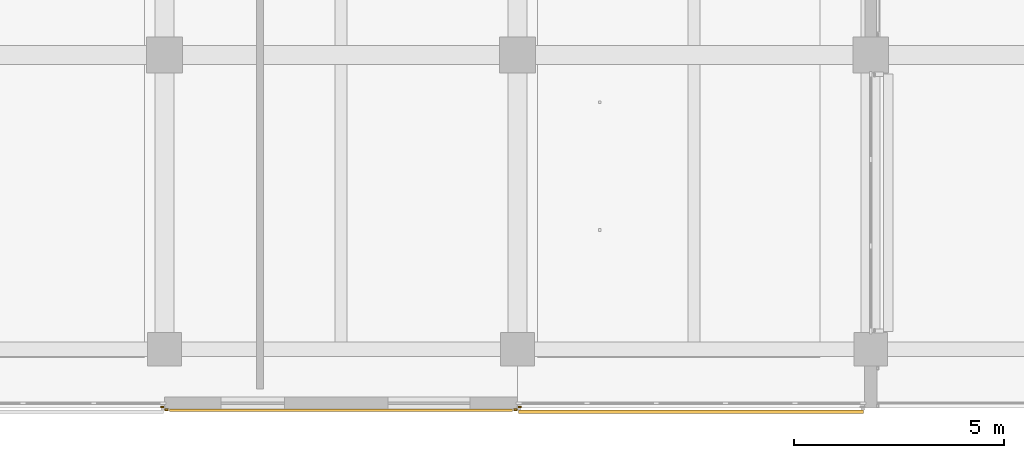
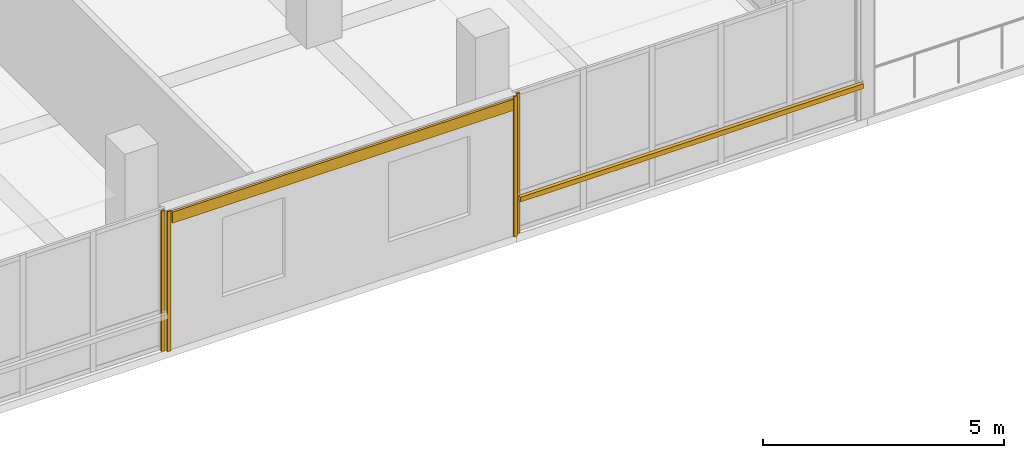
# One storey, part 28 of 36: 5 coverings, 1 shading device.
"""IFC4 building model written with IfcOpenShell, lengths in metres."""

from ifc_helpers import new_model, si_unit, direction, frame, origin, origin_2d, place, context, subcontext, project, spatial, rectangle, extrude, material, layer, layer_set, type_object, element, save


model = new_model("IFC4")

# Units and contexts
model_context = context("Model", 3, precision=1e-05, world=origin(), true_north=direction((0.0, 1.0)))
body_context = subcontext(model_context, "Body", "Model", "MODEL_VIEW")
ifc_project = project(units=[si_unit("LENGTHUNIT", "METRE"), si_unit("AREAUNIT", "SQUARE_METRE"), si_unit("VOLUMEUNIT", "CUBIC_METRE"), si_unit("PLANEANGLEUNIT", "RADIAN"), si_unit("MASSUNIT", "GRAM", prefix="KILO")], contexts=[model_context])

# Site, building, storey
site_placement = place(None, origin())
site = spatial("IfcSite", under=ifc_project, at=site_placement, CompositionType="ELEMENT")
building_placement = place(site_placement, origin())
building = spatial("IfcBuilding", under=site, at=building_placement, Name="Telukmera Botanical Conservatory", CompositionType="ELEMENT")
storey_placement = place(building_placement, frame((0.0, 0.0, 33.0)))
storey = spatial("IfcBuildingStorey", under=building, at=storey_placement, Name="L07", CompositionType="ELEMENT", Elevation=33.0)

# Coverings
ifc_material_1 = material(Name="Granite-faced precast concrete C40/50", Category="masonry")
ifc_layer_1 = layer(ifc_material_1, 0.0400390625)
ifc_layer_set_1 = layer_set([ifc_layer_1], Name="Granite-faced precast concrete C40/50")
covering_type_1 = type_object("IfcCoveringType", Name="Granite Precast Column Pier Reveal Casing", PredefinedType="CLADDING", material=ifc_layer_set_1)
for number, where, z_axis, x_axis, name in (
    (1, (83.947998046875, 9.22998046875, 0.0), (0.0, 0.0, 1.0), (1.0, 0.0, 0.0), "Granite Pier Reveal V4:L07:S4 R"),
    (2, (84.052001953125, 9.159912109375, 0.0), (0.0, 0.0, 1.0), (1.0, 0.0, 0.0), "Granite Pier Reveal V4:L07:S5 L"),
    (3, (92.347900390625, 9.159912109375, 0.0), (0.0, 0.0, 1.0), (1.0, 0.0, 0.0), "Granite Pier Reveal V4:L07:S5 R"),
    (4, (92.451904296875, 9.22998046875, 0.0), (0.0, 0.0, 1.0), (1.0, 0.0, 0.0), "Granite Pier Reveal V4:L07:S6 L"),
):
    element("IfcCovering", number, at=place(storey_placement, frame(where, z_axis=z_axis, x_axis=x_axis)), inside=storey, type_object=covering_type_1, Name=name, PredefinedType="CLADDING", context=body_context, shape_type="SweptSolid", body=[
        extrude(rectangle(XDim=0.080078125, YDim=0.0400390625, at=origin_2d()), origin(), (0.0, 0.0, 1.0), 3.550048828125),
    ])

# Shading device
ifc_material_2 = material(Name="Perforated terracotta-anodised aluminium 6063-T6", Category="masonry")
ifc_layer_2 = layer(ifc_material_2, 0.044921875)
ifc_layer_set_2 = layer_set([ifc_layer_2], Name="Perforated terracotta-anodised aluminium 6063-T6")
shading_device_type = type_object("IfcShadingDeviceType", Name="Perforated Terracotta Aluminium Monsoon Brise Soleil", PredefinedType="JALOUSIE", material=ifc_layer_set_2)
shading_device_placement = place(storey_placement, frame((96.52490234375, 9.114990234375, 0.889892578125), z_axis=(0.0, 0.0, 1.0), x_axis=(1.0, 0.0, 0.0)))
element("IfcShadingDevice", 5, at=shading_device_placement, inside=storey, type_object=shading_device_type, Name="Monsoon Shading BS01 V4:L07:S6", PredefinedType="JALOUSIE", context=body_context, shape_type="SweptSolid", body=[
    extrude(rectangle(XDim=8.2060546875, YDim=0.090087890625, at=origin_2d()), origin(), (0.0, 0.0, 1.0), 0.1201171875),
])

# Covering
ifc_material_3 = material(Name="Terracotta-faced precast concrete C40/50", Category="masonry")
ifc_layer_3 = layer(ifc_material_3, 0.06005859375)
ifc_layer_set_3 = layer_set([ifc_layer_3], Name="Terracotta-faced precast concrete C40/50")
covering_type_2 = type_object("IfcCoveringType", Name="Polychrome Terracotta Facade Band Cladding", PredefinedType="CLADDING", material=ifc_layer_set_3)
covering_placement = place(storey_placement, frame((88.199951171875, 9.14990234375, 3.22998046875), z_axis=(0.0, 0.0, 1.0), x_axis=(1.0, 0.0, 0.0)))
element("IfcCovering", 6, at=covering_placement, inside=storey, type_object=covering_type_2, Name="Polychrome Terracotta Band V4:L07:S5", PredefinedType="CLADDING", context=body_context, shape_type="SweptSolid", body=[
    extrude(rectangle(XDim=8.156005859375, YDim=0.06005859375, at=origin_2d()), origin(), (0.0, 0.0, 1.0), 0.280029296875),
])

save(model, "model.ifc")
